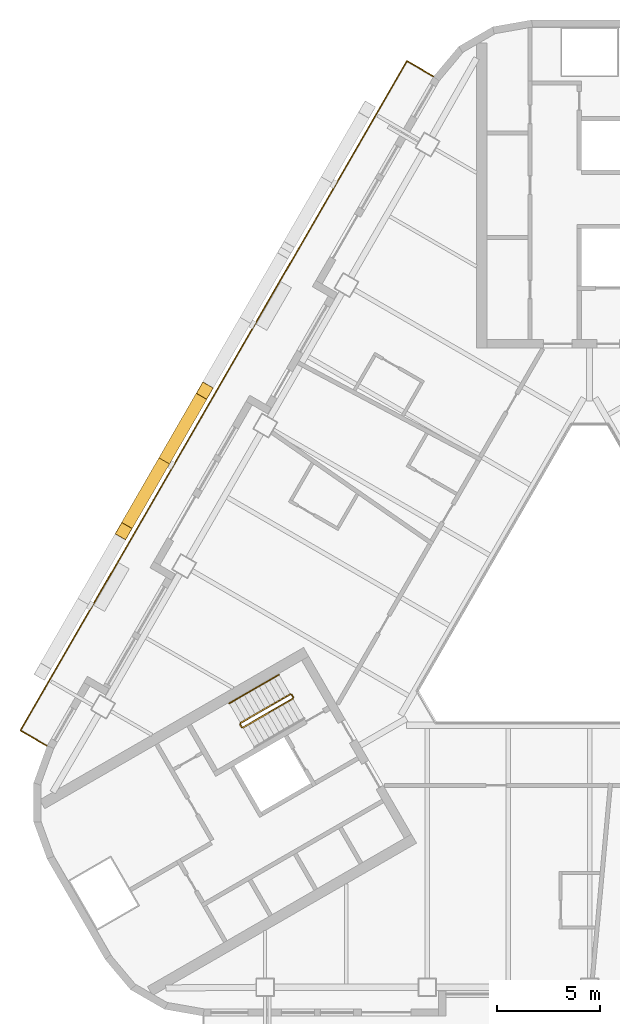
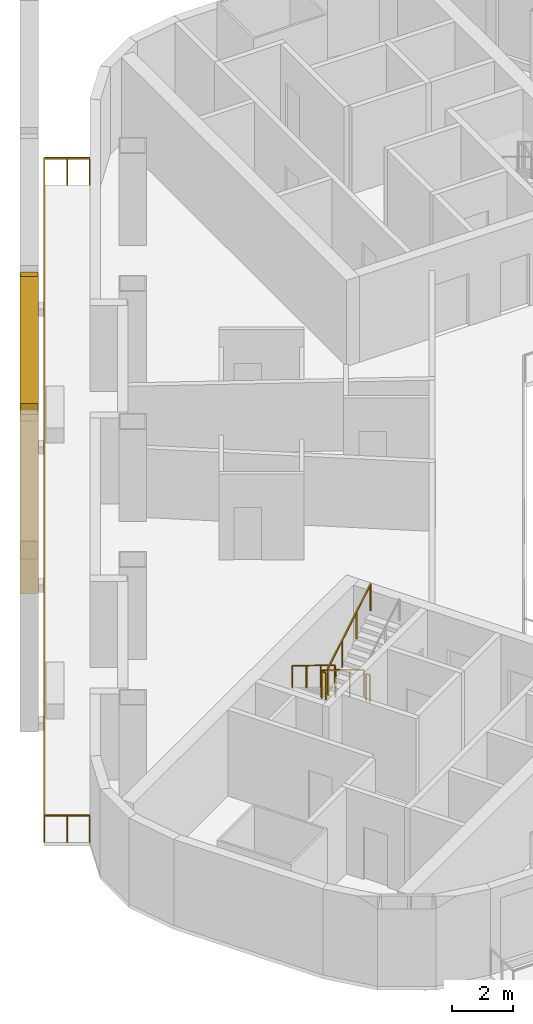
# One storey, part 9 of 13: 6 railings, 2 shading devices.
"""IFC4 building model written with IfcOpenShell, lengths in metres."""

from ifc_helpers import new_model, si_unit, direction, frame, origin, origin_2d, place, context, subcontext, project, spatial, rectangle, hollow_rectangle, circle, extrude, material, material_profile, profile_set, type_object, element, save


model = new_model("IFC4")

# Units and contexts
model_context = context("Model", 3, precision=1e-05, world=origin(), true_north=direction((0.0, 1.0)))
body_context = subcontext(model_context, "Body", "Model", "MODEL_VIEW")
ifc_project = project(units=[si_unit("LENGTHUNIT", "METRE"), si_unit("AREAUNIT", "SQUARE_METRE"), si_unit("VOLUMEUNIT", "CUBIC_METRE"), si_unit("PLANEANGLEUNIT", "RADIAN"), si_unit("MASSUNIT", "GRAM", prefix="KILO")], contexts=[model_context])

# Site, building, storey
site_placement = place(None, origin())
site = spatial("IfcSite", under=ifc_project, at=site_placement, CompositionType="ELEMENT")
building_placement = place(site_placement, origin())
building = spatial("IfcBuilding", under=site, at=building_placement, Name="Apuvela Tower Hotel", CompositionType="ELEMENT")
storey_placement = place(building_placement, frame((0.0, 0.0, 127.89990234375)))
storey = spatial("IfcBuildingStorey", under=building, at=storey_placement, Name="L30", CompositionType="ELEMENT", Elevation=127.89990234375)

# Railings
ifc_material_1 = material(Name="Steel S275 balustrade", Category="steel")
railing_type_1 = type_object("IfcRailingType", Name="COR-GUARD-1100", PredefinedType="GUARDRAIL", material=ifc_material_1)
railing_1_placement = place(storey_placement, frame((-14.569091796875, -3.9658203125, 0.168212890625)))
element("IfcRailing", 1, at=railing_1_placement, inside=storey, type_object=railing_type_1, Name="L30 ST2 stair guard 1", PredefinedType="GUARDRAIL", context=body_context, shape_type="SweptSolid", body=[
    extrude(rectangle(XDim=0.048095703125, YDim=0.048095703125, at=origin_2d()), frame((0.0, 0.0, 1.076171875), z_axis=(-0.742390482028, -0.42860119049, 0.514934356695), x_axis=(0.49998411664, -0.866034573852, 0.0)), (0.0, 0.0, 1.0), 3.26611328125),
    extrude(rectangle(XDim=0.0419921875, YDim=0.0419921875, at=origin_2d()), origin(), (0.0, 0.0, 1.0), 1.052001953125),
    extrude(rectangle(XDim=0.0419921875, YDim=0.0419921875, at=origin_2d()), frame((-0.808349609375, -0.466552734375, 0.560546875)), (0.0, 0.0, 1.0), 1.052001953125),
    extrude(rectangle(XDim=0.0419921875, YDim=0.0419921875, at=origin_2d()), frame((-1.616455078125, -0.933349609375, 1.121337890625)), (0.0, 0.0, 1.0), 1.052001953125),
    extrude(rectangle(XDim=0.0419921875, YDim=0.0419921875, at=origin_2d()), frame((-2.4248046875, -1.39990234375, 1.681884765625)), (0.0, 0.0, 1.0), 1.052001953125),
])
railing_2_placement = place(storey_placement, frame((-17.01220703125, -5.43408203125, 1.85009765625)))
element("IfcRailing", 2, at=railing_2_placement, inside=storey, type_object=railing_type_1, Name="L30 ST2 stair guard 2", PredefinedType="GUARDRAIL", context=body_context, shape_type="SweptSolid", body=[
    extrude(rectangle(XDim=0.048095703125, YDim=0.048095703125, at=origin_2d()), frame((0.0, 0.0, 1.076171875), z_axis=(0.499816412211, -0.866131372301, 0.0), x_axis=(0.866131372301, 0.499816412211, 0.0)), (0.0, 0.0, 1.0), 0.14990234375),
    extrude(rectangle(XDim=0.0419921875, YDim=0.0419921875, at=origin_2d()), origin(), (0.0, 0.0, 1.0), 1.052001953125),
    extrude(rectangle(XDim=0.0419921875, YDim=0.0419921875, at=origin_2d()), frame((0.074951171875, -0.1298828125, 0.0)), (0.0, 0.0, 1.0), 1.052001953125),
])
railing_3_placement = place(storey_placement, frame((-16.868896484375, -5.582275390625, 2.018310546875)))
element("IfcRailing", 3, at=railing_3_placement, inside=storey, type_object=railing_type_1, Name="L30 ST2 stair guard 3", PredefinedType="GUARDRAIL", context=body_context, shape_type="SweptSolid", body=[
    extrude(rectangle(XDim=0.048095703125, YDim=0.048095703125, at=origin_2d()), frame((0.0, 0.0, 1.076171875), z_axis=(0.742390482028, 0.42860119049, 0.514934356695), x_axis=(-0.49998411664, 0.866034573852, 0.0)), (0.0, 0.0, 1.0), 3.26611328125),
    extrude(rectangle(XDim=0.0419921875, YDim=0.0419921875, at=origin_2d()), origin(), (0.0, 0.0, 1.0), 1.052001953125),
    extrude(rectangle(XDim=0.0419921875, YDim=0.0419921875, at=origin_2d()), frame((0.808349609375, 0.466552734375, 0.560546875)), (0.0, 0.0, 1.0), 1.052001953125),
    extrude(rectangle(XDim=0.0419921875, YDim=0.0419921875, at=origin_2d()), frame((1.616455078125, 0.933349609375, 1.121337890625)), (0.0, 0.0, 1.0), 1.052001953125),
    extrude(rectangle(XDim=0.0419921875, YDim=0.0419921875, at=origin_2d()), frame((2.4248046875, 1.39990234375, 1.681884765625)), (0.0, 0.0, 1.0), 1.052001953125),
])
railing_4_placement = place(storey_placement, frame((-14.500732421875, -3.984130859375, 0.0)))
element("IfcRailing", 4, at=railing_4_placement, inside=storey, type_object=railing_type_1, Name="L30 ST2 stair guard 4", PredefinedType="GUARDRAIL", context=body_context, shape_type="SweptSolid", body=[
    extrude(rectangle(XDim=0.048095703125, YDim=0.048095703125, at=origin_2d()), frame((0.0, 0.0, 1.076171875), z_axis=(0.499816412211, -0.866131372301, 0.0), x_axis=(0.866131372301, 0.499816412211, 0.0)), (0.0, 0.0, 1.0), 0.14990234375),
    extrude(rectangle(XDim=0.0419921875, YDim=0.0419921875, at=origin_2d()), origin(), (0.0, 0.0, 1.0), 1.052001953125),
    extrude(rectangle(XDim=0.0419921875, YDim=0.0419921875, at=origin_2d()), frame((0.074951171875, -0.1298828125, 0.0)), (0.0, 0.0, 1.0), 1.052001953125),
])
ifc_material_2 = material(Name="Stainless steel 316 handrail", Category="steel")
railing_type_2 = type_object("IfcRailingType", Name="COR-HANDRAIL-900", PredefinedType="HANDRAIL", material=ifc_material_2)
railing_5_placement = place(storey_placement, frame((-15.118896484375, -3.01318359375, 0.168212890625)))
element("IfcRailing", 5, at=railing_5_placement, inside=storey, type_object=railing_type_2, Name="L30 ST2 stair handrail 1", PredefinedType="HANDRAIL", context=body_context, shape_type="SweptSolid", body=[
    extrude(circle(Radius=0.02392578125, at=origin_2d()), frame((0.0, 0.0, 0.8759765625), z_axis=(-0.742424030051, -0.428577407461, 0.514905783049), x_axis=(0.49994636267, -0.866056369097, 0.0)), (0.0, 0.0, 1.0), 3.266357421875),
    extrude(rectangle(XDim=0.0419921875, YDim=0.0419921875, at=origin_2d()), origin(), (0.0, 0.0, 1.0), 0.851806640625),
    extrude(rectangle(XDim=0.0419921875, YDim=0.0419921875, at=origin_2d()), frame((-0.808349609375, -0.466552734375, 0.560546875)), (0.0, 0.0, 1.0), 0.851806640625),
    extrude(rectangle(XDim=0.0419921875, YDim=0.0419921875, at=origin_2d()), frame((-1.61669921875, -0.933349609375, 1.121337890625)), (0.0, 0.0, 1.0), 0.851806640625),
    extrude(rectangle(XDim=0.0419921875, YDim=0.0419921875, at=origin_2d()), frame((-2.425048828125, -1.39990234375, 1.681884765625)), (0.0, 0.0, 1.0), 0.851806640625),
])

# Shading devices
ifc_material_3 = material(Name="Aluminium 6063-T6, black anodised", Category="aluminium")
ifc_material_profile = material_profile(ifc_material_3, hollow_rectangle(XDim=0.60009765625, YDim=0.699951171875, WallThickness=0.011962890625, at=origin_2d()), Name="AL BOX 700x600x12")
ifc_profile_set = profile_set([ifc_material_profile], Name="Aluminium 6063-T6, black anodised")
shading_device_type = type_object("IfcShadingDeviceType", Name="ENV-FIN-700x600", PredefinedType="USERDEFINED", material=ifc_profile_set)
for number, where, z_axis, x_axis, name in (
    (6, (-20.70703125, 7.394287109375, -0.099853515625), (0.188560802902, 0.326607171401, 0.926160126111), (-0.866032218625, 0.499988196164, 0.0), "Lattice fin NW285"),
    (7, (-20.70703125, 7.394287109375, -0.099853515625), (-0.188581848909, -0.32662655957, 0.926149003587), (0.866020906874, -0.500007788796, 0.0), "Lattice fin NW286"),
):
    element("IfcShadingDevice", number, at=place(storey_placement, frame(where, z_axis=z_axis, x_axis=x_axis)), inside=storey, type_object=shading_device_type, Name=name, ObjectType="FIN", PredefinedType="USERDEFINED", context=body_context, shape_type="SweptSolid", body=[
        extrude(hollow_rectangle(XDim=0.60009765625, YDim=0.699951171875, WallThickness=0.011962890625, at=origin_2d()), origin(), (0.0, 0.0, 1.0), 10.473388671875),
    ])

# Railing
ifc_material_4 = material(Name="Stainless steel 316 rail with laminated glass infill", Category="steel")
railing_type_3 = type_object("IfcRailingType", Name="ENV-GUARD-1100", PredefinedType="GUARDRAIL", material=ifc_material_4)
railing_6_placement = place(storey_placement, frame((-7.59228515625, 26.110107421875, 0.0)))
element("IfcRailing", 8, at=railing_6_placement, inside=storey, type_object=railing_type_3, Name="Balcony guard NW L30", PredefinedType="GUARDRAIL", context=body_context, shape_type="SweptSolid", body=[
    extrude(rectangle(XDim=0.050048828125, YDim=0.050048828125, at=origin_2d()), frame((0.0, 0.0, 1.0751953125), z_axis=(-0.86599040064, 0.500060622324, 0.0), x_axis=(-0.500060622324, -0.86599040064, 0.0)), (0.0, 0.0, 1.0), 1.499755859375),
    extrude(rectangle(XDim=0.050048828125, YDim=0.050048828125, at=origin_2d()), frame((-1.298828125, 0.75, 1.0751953125), z_axis=(-0.500000437506, -0.86602515119, 0.0), x_axis=(0.86602515119, -0.500000437506, 0.0)), (0.0, 0.0, 1.0), 37.6318359375),
    extrude(rectangle(XDim=0.050048828125, YDim=0.050048828125, at=origin_2d()), frame((-20.11474609375, -31.840087890625, 1.0751953125), z_axis=(0.866031096941, -0.499990139034, 0.0), x_axis=(0.499990139034, 0.866031096941, 0.0)), (0.0, 0.0, 1.0), 1.5),
    extrude(rectangle(XDim=0.0400390625, YDim=0.0400390625, at=origin_2d()), origin(), (0.0, 0.0, 1.0), 1.050048828125),
    extrude(rectangle(XDim=0.0400390625, YDim=0.0400390625, at=origin_2d()), frame((-0.6494140625, 0.375, 0.0)), (0.0, 0.0, 1.0), 1.050048828125),
    extrude(rectangle(XDim=0.0400390625, YDim=0.0400390625, at=origin_2d()), frame((-1.298828125, 0.75, 0.0)), (0.0, 0.0, 1.0), 1.050048828125),
    extrude(rectangle(XDim=0.0400390625, YDim=0.0400390625, at=origin_2d()), frame((-1.88671875, -0.2685546875, 0.0)), (0.0, 0.0, 1.0), 1.050048828125),
    extrude(rectangle(XDim=0.0400390625, YDim=0.0400390625, at=origin_2d()), frame((-2.474853515625, -1.286865234375, 0.0)), (0.0, 0.0, 1.0), 1.050048828125),
    extrude(rectangle(XDim=0.0400390625, YDim=0.0400390625, at=origin_2d()), frame((-3.062744140625, -2.305419921875, 0.0)), (0.0, 0.0, 1.0), 1.050048828125),
    extrude(rectangle(XDim=0.0400390625, YDim=0.0400390625, at=origin_2d()), frame((-3.65087890625, -3.32373046875, 0.0)), (0.0, 0.0, 1.0), 1.050048828125),
    extrude(rectangle(XDim=0.0400390625, YDim=0.0400390625, at=origin_2d()), frame((-4.23876953125, -4.34228515625, 0.0)), (0.0, 0.0, 1.0), 1.050048828125),
    extrude(rectangle(XDim=0.0400390625, YDim=0.0400390625, at=origin_2d()), frame((-4.826904296875, -5.360595703125, 0.0)), (0.0, 0.0, 1.0), 1.050048828125),
    extrude(rectangle(XDim=0.0400390625, YDim=0.0400390625, at=origin_2d()), frame((-5.414794921875, -6.379150390625, 0.0)), (0.0, 0.0, 1.0), 1.050048828125),
    extrude(rectangle(XDim=0.0400390625, YDim=0.0400390625, at=origin_2d()), frame((-6.0029296875, -7.3974609375, 0.0)), (0.0, 0.0, 1.0), 1.050048828125),
    extrude(rectangle(XDim=0.0400390625, YDim=0.0400390625, at=origin_2d()), frame((-6.5908203125, -8.416015625, 0.0)), (0.0, 0.0, 1.0), 1.050048828125),
    extrude(rectangle(XDim=0.0400390625, YDim=0.0400390625, at=origin_2d()), frame((-7.1787109375, -9.434326171875, 0.0)), (0.0, 0.0, 1.0), 1.050048828125),
    extrude(rectangle(XDim=0.0400390625, YDim=0.0400390625, at=origin_2d()), frame((-7.766845703125, -10.452880859375, 0.0)), (0.0, 0.0, 1.0), 1.050048828125),
    extrude(rectangle(XDim=0.0400390625, YDim=0.0400390625, at=origin_2d()), frame((-8.354736328125, -11.47119140625, 0.0)), (0.0, 0.0, 1.0), 1.050048828125),
    extrude(rectangle(XDim=0.0400390625, YDim=0.0400390625, at=origin_2d()), frame((-8.94287109375, -12.48974609375, 0.0)), (0.0, 0.0, 1.0), 1.050048828125),
    extrude(rectangle(XDim=0.0400390625, YDim=0.0400390625, at=origin_2d()), frame((-9.53076171875, -13.508056640625, 0.0)), (0.0, 0.0, 1.0), 1.050048828125),
    extrude(rectangle(XDim=0.0400390625, YDim=0.0400390625, at=origin_2d()), frame((-10.118896484375, -14.526611328125, 0.0)), (0.0, 0.0, 1.0), 1.050048828125),
    extrude(rectangle(XDim=0.0400390625, YDim=0.0400390625, at=origin_2d()), frame((-10.706787109375, -15.544921875, 0.0)), (0.0, 0.0, 1.0), 1.050048828125),
    extrude(rectangle(XDim=0.0400390625, YDim=0.0400390625, at=origin_2d()), frame((-11.294677734375, -16.5634765625, 0.0)), (0.0, 0.0, 1.0), 1.050048828125),
    extrude(rectangle(XDim=0.0400390625, YDim=0.0400390625, at=origin_2d()), frame((-11.8828125, -17.58203125, 0.0)), (0.0, 0.0, 1.0), 1.050048828125),
    extrude(rectangle(XDim=0.0400390625, YDim=0.0400390625, at=origin_2d()), frame((-12.470703125, -18.600341796875, 0.0)), (0.0, 0.0, 1.0), 1.050048828125),
    extrude(rectangle(XDim=0.0400390625, YDim=0.0400390625, at=origin_2d()), frame((-13.058837890625, -19.618896484375, 0.0)), (0.0, 0.0, 1.0), 1.050048828125),
    extrude(rectangle(XDim=0.0400390625, YDim=0.0400390625, at=origin_2d()), frame((-13.646728515625, -20.63720703125, 0.0)), (0.0, 0.0, 1.0), 1.050048828125),
    extrude(rectangle(XDim=0.0400390625, YDim=0.0400390625, at=origin_2d()), frame((-14.23486328125, -21.65576171875, 0.0)), (0.0, 0.0, 1.0), 1.050048828125),
    extrude(rectangle(XDim=0.0400390625, YDim=0.0400390625, at=origin_2d()), frame((-14.82275390625, -22.674072265625, 0.0)), (0.0, 0.0, 1.0), 1.050048828125),
    extrude(rectangle(XDim=0.0400390625, YDim=0.0400390625, at=origin_2d()), frame((-15.41064453125, -23.692626953125, 0.0)), (0.0, 0.0, 1.0), 1.050048828125),
    extrude(rectangle(XDim=0.0400390625, YDim=0.0400390625, at=origin_2d()), frame((-15.998779296875, -24.7109375, 0.0)), (0.0, 0.0, 1.0), 1.050048828125),
    extrude(rectangle(XDim=0.0400390625, YDim=0.0400390625, at=origin_2d()), frame((-16.586669921875, -25.7294921875, 0.0)), (0.0, 0.0, 1.0), 1.050048828125),
    extrude(rectangle(XDim=0.0400390625, YDim=0.0400390625, at=origin_2d()), frame((-17.1748046875, -26.747802734375, 0.0)), (0.0, 0.0, 1.0), 1.050048828125),
    extrude(rectangle(XDim=0.0400390625, YDim=0.0400390625, at=origin_2d()), frame((-17.7626953125, -27.766357421875, 0.0)), (0.0, 0.0, 1.0), 1.050048828125),
    extrude(rectangle(XDim=0.0400390625, YDim=0.0400390625, at=origin_2d()), frame((-18.350830078125, -28.78466796875, 0.0)), (0.0, 0.0, 1.0), 1.050048828125),
    extrude(rectangle(XDim=0.0400390625, YDim=0.0400390625, at=origin_2d()), frame((-18.938720703125, -29.80322265625, 0.0)), (0.0, 0.0, 1.0), 1.050048828125),
    extrude(rectangle(XDim=0.0400390625, YDim=0.0400390625, at=origin_2d()), frame((-19.52685546875, -30.821533203125, 0.0)), (0.0, 0.0, 1.0), 1.050048828125),
    extrude(rectangle(XDim=0.0400390625, YDim=0.0400390625, at=origin_2d()), frame((-20.11474609375, -31.840087890625, 0.0)), (0.0, 0.0, 1.0), 1.050048828125),
    extrude(rectangle(XDim=0.0400390625, YDim=0.0400390625, at=origin_2d()), frame((-19.46533203125, -32.215087890625, 0.0)), (0.0, 0.0, 1.0), 1.050048828125),
    extrude(rectangle(XDim=0.0400390625, YDim=0.0400390625, at=origin_2d()), frame((-18.815673828125, -32.590087890625, 0.0)), (0.0, 0.0, 1.0), 1.050048828125),
])

save(model, "model.ifc")
